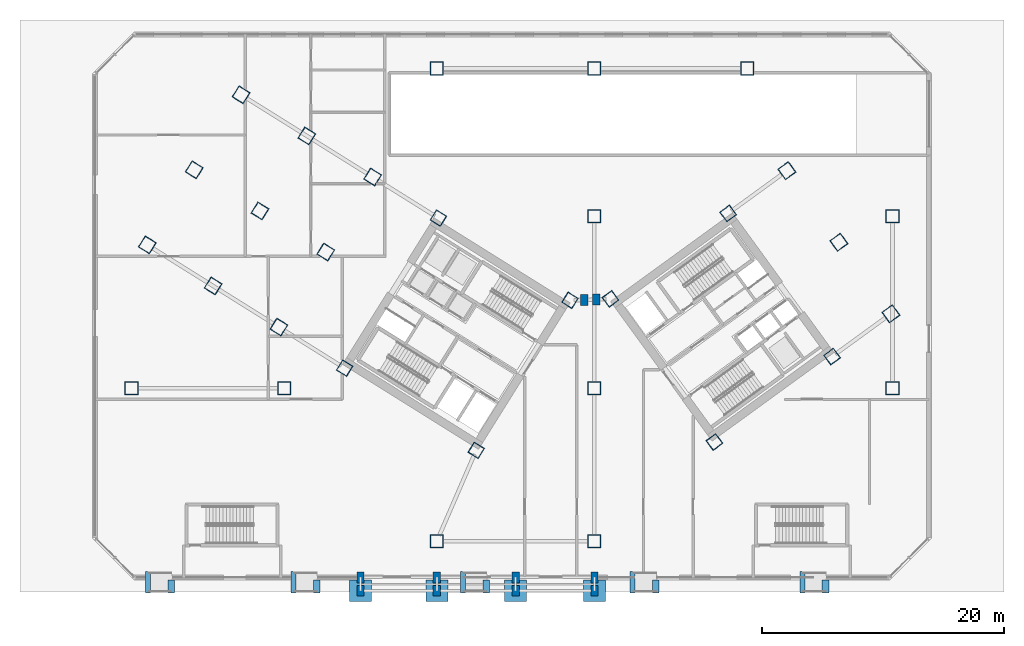
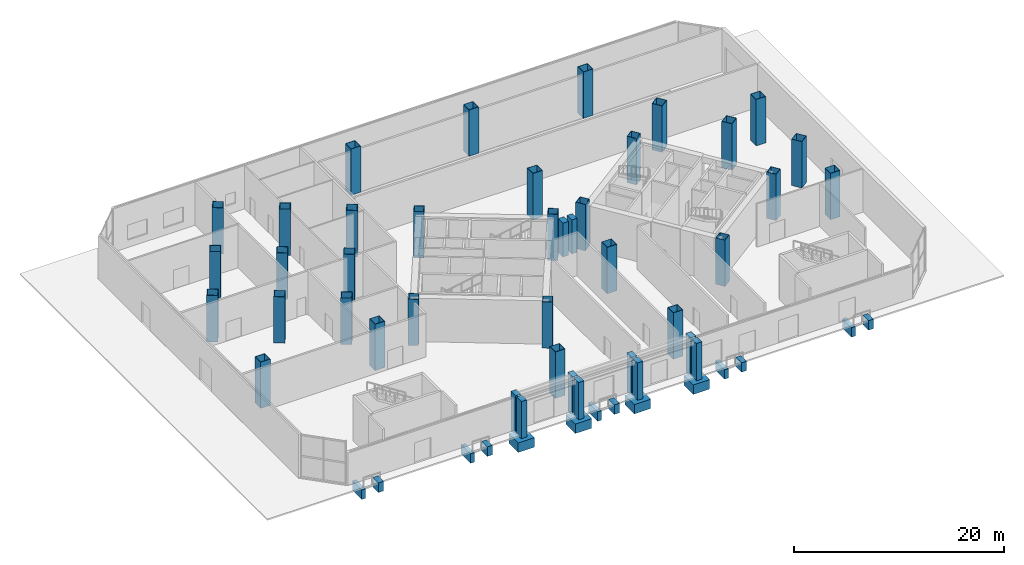
# One storey, part 1 of 22: 41 columns, 14 footings.
"""IFC4 building model written with IfcOpenShell, lengths in metres."""

from ifc_helpers import new_model, si_unit, direction, frame, origin, origin_2d, place, context, subcontext, project, spatial, polyline, rectangle, hollow_rectangle, outline, extrude, source, transform, mapped, material, material_profile, profile_set, type_object, element, save


model = new_model("IFC4")

# Units and contexts
model_context = context("Model", 3, precision=1e-05, world=origin(), true_north=direction((0.0, 1.0)))
body_context = subcontext(model_context, "Body", "Model", "MODEL_VIEW")
ifc_project = project(units=[si_unit("LENGTHUNIT", "METRE"), si_unit("AREAUNIT", "SQUARE_METRE"), si_unit("VOLUMEUNIT", "CUBIC_METRE"), si_unit("PLANEANGLEUNIT", "RADIAN"), si_unit("MASSUNIT", "GRAM", prefix="KILO")], contexts=[model_context])

# Site, building, storey
site_placement = place(None, origin())
site = spatial("IfcSite", under=ifc_project, at=site_placement, CompositionType="ELEMENT")
building_placement = place(site_placement, origin())
building = spatial("IfcBuilding", under=site, at=building_placement, Name="Tlacorven Tower", CompositionType="ELEMENT")
storey_placement = place(building_placement, origin())
storey = spatial("IfcBuildingStorey", under=building, at=storey_placement, Name="L00", CompositionType="ELEMENT", Elevation=0.0)

# Footings
ifc_material_1 = material(Name="Concrete C50/60", Category="concrete")
footing_type_1 = type_object("IfcFootingType", Name="FT-STR-1100", PredefinedType="STRIP_FOOTING", material=ifc_material_1)
footing_1_placement = place(storey_placement, frame((0.0, 0.0, -1.260009765625)))
element("IfcFooting", 1, at=footing_1_placement, inside=storey, type_object=footing_type_1, Name="L00 Forecourt Kerb Ramp Foot Footing 1", PredefinedType="STRIP_FOOTING", context=body_context, shape_type="SweptSolid", body=[
    extrude(outline(polyline([(5.75, 0.300048828125), (6.159912109375, 0.300048828125), (6.159912109375, 2.080078125), (5.75, 2.080078125), (5.75, 0.300048828125)])), origin(), (0.0, 0.0, 1.0), 1.10009765625),
])
footing_2_placement = place(storey_placement, frame((0.0, 0.0, -1.10009765625)))
element("IfcFooting", 2, at=footing_2_placement, inside=storey, type_object=footing_type_1, Name="L00 Forecourt Kerb Ramp Head Footing 1", PredefinedType="STRIP_FOOTING", context=body_context, shape_type="SweptSolid", body=[
    extrude(outline(polyline([(7.60009765625, 0.300048828125), (8.14990234375, 0.300048828125), (8.14990234375, 1.3798828125), (7.60009765625, 1.3798828125), (7.60009765625, 0.300048828125)])), origin(), (0.0, 0.0, 1.0), 1.10009765625),
])
footing_3_placement = place(storey_placement, frame((0.0, 0.0, -1.260009765625)))
element("IfcFooting", 3, at=footing_3_placement, inside=storey, type_object=footing_type_1, Name="L00 Forecourt Kerb Ramp Foot Footing 2", PredefinedType="STRIP_FOOTING", context=body_context, shape_type="SweptSolid", body=[
    extrude(outline(polyline([(17.75, 0.300048828125), (18.159912109375, 0.300048828125), (18.159912109375, 2.080078125), (17.75, 2.080078125), (17.75, 0.300048828125)])), origin(), (0.0, 0.0, 1.0), 1.10009765625),
])
footing_4_placement = place(storey_placement, frame((0.0, 0.0, -1.10009765625)))
element("IfcFooting", 4, at=footing_4_placement, inside=storey, type_object=footing_type_1, Name="L00 Forecourt Kerb Ramp Head Footing 2", PredefinedType="STRIP_FOOTING", context=body_context, shape_type="SweptSolid", body=[
    extrude(outline(polyline([(19.60009765625, 0.300048828125), (20.14990234375, 0.300048828125), (20.14990234375, 1.3798828125), (19.60009765625, 1.3798828125), (19.60009765625, 0.300048828125)])), origin(), (0.0, 0.0, 1.0), 1.10009765625),
])
footing_5_placement = place(storey_placement, frame((0.0, 0.0, -1.260009765625)))
element("IfcFooting", 5, at=footing_5_placement, inside=storey, type_object=footing_type_1, Name="L00 Forecourt Kerb Ramp Foot Footing 3", PredefinedType="STRIP_FOOTING", context=body_context, shape_type="SweptSolid", body=[
    extrude(outline(polyline([(31.75, 0.300048828125), (32.159912109375, 0.300048828125), (32.159912109375, 2.080078125), (31.75, 2.080078125), (31.75, 0.300048828125)])), origin(), (0.0, 0.0, 1.0), 1.10009765625),
])
footing_6_placement = place(storey_placement, frame((0.0, 0.0, -1.10009765625)))
element("IfcFooting", 6, at=footing_6_placement, inside=storey, type_object=footing_type_1, Name="L00 Forecourt Kerb Ramp Head Footing 3", PredefinedType="STRIP_FOOTING", context=body_context, shape_type="SweptSolid", body=[
    extrude(outline(polyline([(33.60009765625, 0.300048828125), (34.14990234375, 0.300048828125), (34.14990234375, 1.3798828125), (33.60009765625, 1.3798828125), (33.60009765625, 0.300048828125)])), origin(), (0.0, 0.0, 1.0), 1.10009765625),
])
footing_7_placement = place(storey_placement, frame((0.0, 0.0, -1.260009765625)))
element("IfcFooting", 7, at=footing_7_placement, inside=storey, type_object=footing_type_1, Name="L00 Forecourt Kerb Ramp Foot Footing 4", PredefinedType="STRIP_FOOTING", context=body_context, shape_type="SweptSolid", body=[
    extrude(outline(polyline([(45.75, 0.300048828125), (46.159912109375, 0.300048828125), (46.159912109375, 2.080078125), (45.75, 2.080078125), (45.75, 0.300048828125)])), origin(), (0.0, 0.0, 1.0), 1.10009765625),
])
footing_8_placement = place(storey_placement, frame((0.0, 0.0, -1.10009765625)))
element("IfcFooting", 8, at=footing_8_placement, inside=storey, type_object=footing_type_1, Name="L00 Forecourt Kerb Ramp Head Footing 4", PredefinedType="STRIP_FOOTING", context=body_context, shape_type="SweptSolid", body=[
    extrude(outline(polyline([(47.60009765625, 0.300048828125), (48.14990234375, 0.300048828125), (48.14990234375, 1.3798828125), (47.60009765625, 1.3798828125), (47.60009765625, 0.300048828125)])), origin(), (0.0, 0.0, 1.0), 1.10009765625),
])
footing_9_placement = place(storey_placement, frame((0.0, 0.0, -1.260009765625)))
element("IfcFooting", 9, at=footing_9_placement, inside=storey, type_object=footing_type_1, Name="L00 Forecourt Kerb Ramp Foot Footing 5", PredefinedType="STRIP_FOOTING", context=body_context, shape_type="SweptSolid", body=[
    extrude(outline(polyline([(59.75, 0.300048828125), (60.159912109375, 0.300048828125), (60.159912109375, 2.080078125), (59.75, 2.080078125), (59.75, 0.300048828125)])), origin(), (0.0, 0.0, 1.0), 1.10009765625),
])
footing_10_placement = place(storey_placement, frame((0.0, 0.0, -1.10009765625)))
element("IfcFooting", 10, at=footing_10_placement, inside=storey, type_object=footing_type_1, Name="L00 Forecourt Kerb Ramp Head Footing 5", PredefinedType="STRIP_FOOTING", context=body_context, shape_type="SweptSolid", body=[
    extrude(outline(polyline([(61.60009765625, 0.300048828125), (62.14990234375, 0.300048828125), (62.14990234375, 1.3798828125), (61.60009765625, 1.3798828125), (61.60009765625, 0.300048828125)])), origin(), (0.0, 0.0, 1.0), 1.10009765625),
])
footing_type_2 = type_object("IfcFootingType", Name="FT-PAD-1800", PredefinedType="PAD_FOOTING", material=ifc_material_1)
shared_shape_1 = source(origin(), body_context, "Body", "SweptSolid", [
    extrude(rectangle(XDim=1.800048828125, YDim=1.800048828125, at=origin_2d()), origin(), (0.0, 0.0, 1.0), 1.10009765625),
])
for number, where, z_axis, x_axis, name in (
    (11, (23.5, 0.5, -1.260009765625), (0.0, 0.0, 1.0), (1.0, 0.0, 0.0), "L00 Station Canopy Front Pad Footing 1"),
    (12, (29.800048828125, 0.5, -1.260009765625), (0.0, 0.0, 1.0), (1.0, 0.0, 0.0), "L00 Station Canopy Front Pad Footing 2"),
    (13, (36.300048828125, 0.5, -1.260009765625), (0.0, 0.0, 1.0), (1.0, 0.0, 0.0), "L00 Station Canopy Front Pad Footing 3"),
    (14, (42.800048828125, 0.5, -1.260009765625), (0.0, 0.0, 1.0), (1.0, 0.0, 0.0), "L00 Station Canopy Front Pad Footing 4"),
):
    element("IfcFooting", number, at=place(storey_placement, frame(where, z_axis=z_axis, x_axis=x_axis)), inside=storey, type_object=footing_type_2, Name=name, PredefinedType="PAD_FOOTING", context=body_context, shape_type="MappedRepresentation", body=[
        mapped(shared_shape_1, transform((0.0, 0.0, 0.0), scale=1.0)),
    ])

# Columns
ifc_material_2 = material(Name="Steel S460M", Category="steel")
ifc_material_profile_1 = material_profile(ifc_material_2, hollow_rectangle(XDim=1.080078125, YDim=1.080078125, WallThickness=0.0400390625, at=origin_2d()), Name="BOX 1080X1080X40")
ifc_profile_set_1 = profile_set([ifc_material_profile_1], Name="Steel S460M")
column_type_1 = type_object("IfcColumnType", Name="COL-POD-M1", PredefinedType="COLUMN", material=ifc_profile_set_1)
shared_shape_2 = source(origin(), body_context, "Body", "SweptSolid", [
    extrude(hollow_rectangle(XDim=1.080078125, YDim=1.080078125, WallThickness=0.0400390625, at=origin_2d()), origin(), (0.0, 0.0, 1.0), 5.39990234375),
])
for number, where, z_axis, x_axis, name in (
    (15, (4.60009765625, 17.199951171875, 0.0), (0.0, 0.0, 1.0), (1.0, 0.0, 0.0), "L00 column COL-L00-P01"),
    (16, (17.199951171875, 17.199951171875, 0.0), (0.0, 0.0, 1.0), (1.0, 0.0, 0.0), "L00 column COL-L00-P02"),
    (17, (29.800048828125, 4.60009765625, 0.0), (0.0, 0.0, 1.0), (1.0, 0.0, 0.0), "L00 column COL-L00-P03"),
    (18, (29.800048828125, 43.60009765625, 0.0), (0.0, 0.0, 1.0), (1.0, 0.0, 0.0), "L00 column COL-L00-P04"),
    (19, (42.800048828125, 4.60009765625, 0.0), (0.0, 0.0, 1.0), (1.0, 0.0, 0.0), "L00 column COL-L00-P05"),
    (20, (42.800048828125, 17.199951171875, 0.0), (0.0, 0.0, 1.0), (1.0, 0.0, 0.0), "L00 column COL-L00-P06"),
    (21, (42.800048828125, 31.39990234375, 0.0), (0.0, 0.0, 1.0), (1.0, 0.0, 0.0), "L00 column COL-L00-P07"),
    (22, (42.800048828125, 43.60009765625, 0.0), (0.0, 0.0, 1.0), (1.0, 0.0, 0.0), "L00 column COL-L00-P08"),
    (23, (55.39990234375, 43.60009765625, 0.0), (0.0, 0.0, 1.0), (1.0, 0.0, 0.0), "L00 column COL-L00-P09"),
    (24, (67.39990234375, 17.199951171875, 0.0), (0.0, 0.0, 1.0), (1.0, 0.0, 0.0), "L00 column COL-L00-P10"),
    (25, (67.39990234375, 31.39990234375, 0.0), (0.0, 0.0, 1.0), (1.0, 0.0, 0.0), "L00 column COL-L00-P11"),
    (26, (24.50048828125, 34.642822265625, 0.0), (0.0, 0.0, 1.0), (-0.848048096156, 0.529919264233, 0.0), "L00 column COL-L00-WT11"),
    (27, (20.632080078125, 28.4521484375, 0.0), (0.0, 0.0, 1.0), (-0.848048096156, 0.529919264233, 0.0), "L00 column COL-L00-WT12"),
    (28, (16.763671875, 22.26123046875, 0.0), (0.0, 0.0, 1.0), (-0.848048096156, 0.529919264233, 0.0), "L00 column COL-L00-WT13"),
    (29, (19.072998046875, 38.034423828125, 0.0), (0.0, 0.0, 1.0), (-0.848048096156, 0.529919264233, 0.0), "L00 column COL-L00-WT21"),
    (30, (15.20458984375, 31.843505859375, 0.0), (0.0, 0.0, 1.0), (-0.848048096156, 0.529919264233, 0.0), "L00 column COL-L00-WT22"),
    (31, (11.336181640625, 25.65283203125, 0.0), (0.0, 0.0, 1.0), (-0.848048096156, 0.529919264233, 0.0), "L00 column COL-L00-WT23"),
    (32, (13.6455078125, 41.42578125, 0.0), (0.0, 0.0, 1.0), (-0.848048096156, 0.529919264233, 0.0), "L00 column COL-L00-WT31"),
    (33, (9.777099609375, 35.235107421875, 0.0), (0.0, 0.0, 1.0), (-0.848048096156, 0.529919264233, 0.0), "L00 column COL-L00-WT32"),
    (34, (5.90869140625, 29.044189453125, 0.0), (0.0, 0.0, 1.0), (-0.848048096156, 0.529919264233, 0.0), "L00 column COL-L00-WT33"),
    (35, (67.267822265625, 23.353515625, 0.0), (0.0, 0.0, 1.0), (0.809016994375, 0.587785252292, 0.0), "L00 column COL-L00-ET11"),
    (36, (62.976806640625, 29.25927734375, 0.0), (0.0, 0.0, 1.0), (0.809016994375, 0.587785252292, 0.0), "L00 column COL-L00-ET12"),
    (37, (58.68603515625, 35.165283203125, 0.0), (0.0, 0.0, 1.0), (0.809016994375, 0.587785252292, 0.0), "L00 column COL-L00-ET13"),
):
    element("IfcColumn", number, at=place(storey_placement, frame(where, z_axis=z_axis, x_axis=x_axis)), inside=storey, type_object=column_type_1, Name=name, PredefinedType="COLUMN", context=body_context, shape_type="MappedRepresentation", body=[
        mapped(shared_shape_2, transform((0.0, 0.0, 0.0), scale=1.0)),
    ])
ifc_material_profile_2 = material_profile(ifc_material_2, hollow_rectangle(XDim=1.0, YDim=1.0, WallThickness=0.0400390625, at=origin_2d()), Name="BOX 1000X1000X40")
ifc_profile_set_2 = profile_set([ifc_material_profile_2], Name="Steel S460M")
column_type_2 = type_object("IfcColumnType", Name="COL-TWR-S1", PredefinedType="COLUMN", material=ifc_profile_set_2)
shared_shape_3 = source(origin(), body_context, "Body", "SweptSolid", [
    extrude(hollow_rectangle(XDim=1.0, YDim=1.0, WallThickness=0.0400390625, at=origin_2d()), origin(), (0.0, 0.0, 1.0), 5.39990234375),
])
for number, where, z_axis, x_axis, name in (
    (38, (40.782958984375, 24.468505859375, 0.0), (0.0, 0.0, 1.0), (-0.848048096156, 0.529919264233, 0.0), "L00 column COL-L00-CW11"),
    (39, (33.046142578125, 12.0869140625, 0.0), (0.0, 0.0, 1.0), (-0.848048096156, 0.529919264233, 0.0), "L00 column COL-L00-CW12"),
    (40, (29.927978515625, 31.25146484375, 0.0), (0.0, 0.0, 1.0), (-0.848048096156, 0.529919264233, 0.0), "L00 column COL-L00-CW21"),
    (41, (22.191162109375, 18.869873046875, 0.0), (0.0, 0.0, 1.0), (-0.848048096156, 0.529919264233, 0.0), "L00 column COL-L00-CW22"),
    (42, (52.705322265625, 12.7734375, 0.0), (0.0, 0.0, 1.0), (0.809016994375, 0.587785252292, 0.0), "L00 column COL-L00-CE11"),
    (43, (44.123779296875, 24.5849609375, 0.0), (0.0, 0.0, 1.0), (0.809016994375, 0.587785252292, 0.0), "L00 column COL-L00-CE12"),
    (44, (62.41357421875, 19.826904296875, 0.0), (0.0, 0.0, 1.0), (0.809016994375, 0.587785252292, 0.0), "L00 column COL-L00-CE21"),
    (45, (53.83203125, 31.638427734375, 0.0), (0.0, 0.0, 1.0), (0.809016994375, 0.587785252292, 0.0), "L00 column COL-L00-CE22"),
):
    element("IfcColumn", number, at=place(storey_placement, frame(where, z_axis=z_axis, x_axis=x_axis)), inside=storey, type_object=column_type_2, Name=name, PredefinedType="COLUMN", context=body_context, shape_type="MappedRepresentation", body=[
        mapped(shared_shape_3, transform((0.0, 0.0, 0.0), scale=1.0)),
    ])
ifc_material_3 = material(Name="Precast concrete C50/60", Category="concrete")
ifc_material_profile_3 = material_profile(ifc_material_3, rectangle(XDim=0.60009765625, YDim=0.89990234375, at=origin_2d()), Name="RC 600X900")
ifc_profile_set_3 = profile_set([ifc_material_profile_3], Name="Precast concrete C50/60")
column_type_3 = type_object("IfcColumnType", Name="COL-PIL-EXT", PredefinedType="PILASTER", material=ifc_profile_set_3)
shared_shape_4 = source(origin(), body_context, "Body", "SweptSolid", [
    extrude(rectangle(XDim=0.60009765625, YDim=0.89990234375, at=origin_2d()), origin(), (0.0, 0.0, 1.0), 4.33984375),
])
for number, where, z_axis, x_axis, name in (
    (46, (23.5, 0.5, -0.159912109375), (0.0, 0.0, 1.0), (1.0, 0.0, 0.0), "L00 Station Canopy Front Column 1"),
    (47, (29.800048828125, 0.5, -0.159912109375), (0.0, 0.0, 1.0), (1.0, 0.0, 0.0), "L00 Station Canopy Front Column 2"),
    (48, (36.300048828125, 0.5, -0.159912109375), (0.0, 0.0, 1.0), (1.0, 0.0, 0.0), "L00 Station Canopy Front Column 3"),
    (49, (42.800048828125, 0.5, -0.159912109375), (0.0, 0.0, 1.0), (1.0, 0.0, 0.0), "L00 Station Canopy Front Column 4"),
):
    element("IfcColumn", number, at=place(storey_placement, frame(where, z_axis=z_axis, x_axis=x_axis)), inside=storey, type_object=column_type_3, Name=name, PredefinedType="PILASTER", context=body_context, shape_type="MappedRepresentation", body=[
        mapped(shared_shape_4, transform((0.0, 0.0, 0.0), scale=1.0)),
    ])
shared_shape_5 = source(origin(), body_context, "Body", "SweptSolid", [
    extrude(rectangle(XDim=0.60009765625, YDim=0.89990234375, at=origin_2d()), origin(), (0.0, 0.0, 1.0), 4.530029296875),
])
for number, where, z_axis, x_axis, name in (
    (50, (23.5, 1.60009765625, -0.35009765625), (0.0, 0.0, 1.0), (1.0, 0.0, 0.0), "L00 Station Canopy Rear Pilaster 1"),
    (51, (29.800048828125, 1.60009765625, -0.35009765625), (0.0, 0.0, 1.0), (1.0, 0.0, 0.0), "L00 Station Canopy Rear Pilaster 2"),
    (52, (36.300048828125, 1.60009765625, -0.35009765625), (0.0, 0.0, 1.0), (1.0, 0.0, 0.0), "L00 Station Canopy Rear Pilaster 3"),
    (53, (42.800048828125, 1.60009765625, -0.35009765625), (0.0, 0.0, 1.0), (1.0, 0.0, 0.0), "L00 Station Canopy Rear Pilaster 4"),
):
    element("IfcColumn", number, at=place(storey_placement, frame(where, z_axis=z_axis, x_axis=x_axis)), inside=storey, type_object=column_type_3, Name=name, PredefinedType="PILASTER", context=body_context, shape_type="MappedRepresentation", body=[
        mapped(shared_shape_5, transform((0.0, 0.0, 0.0), scale=1.0)),
    ])
ifc_material_profile_4 = material_profile(ifc_material_3, rectangle(XDim=0.60009765625, YDim=0.89990234375, at=origin_2d()), Name="RC 600X900")
ifc_profile_set_4 = profile_set([ifc_material_profile_4], Name="Precast concrete C50/60")
column_type_4 = type_object("IfcColumnType", Name="COL-PIL-01", PredefinedType="PILASTER", material=ifc_profile_set_4)
shared_shape_6 = source(origin(), body_context, "Body", "SweptSolid", [
    extrude(rectangle(XDim=0.60009765625, YDim=0.89990234375, at=origin_2d()), origin(), (0.0, 0.0, 1.0), 3.949951171875),
])
for number, where, z_axis, x_axis, name in (
    (54, (41.962158203125, 24.509521484375, 0.0), (0.0, 0.0, 1.0), (1.0, 0.0, 0.0), "L00 Concourse Bridge Sliding Seat Support Pier"),
    (55, (42.944580078125, 24.5439453125, 0.0), (0.0, 0.0, 1.0), (1.0, 0.0, 0.0), "L00 Concourse Bridge Fixed Seat Support Pier"),
):
    element("IfcColumn", number, at=place(storey_placement, frame(where, z_axis=z_axis, x_axis=x_axis)), inside=storey, type_object=column_type_4, Name=name, PredefinedType="PILASTER", context=body_context, shape_type="MappedRepresentation", body=[
        mapped(shared_shape_6, transform((0.0, 0.0, 0.0), scale=1.0)),
    ])

save(model, "model.ifc")
